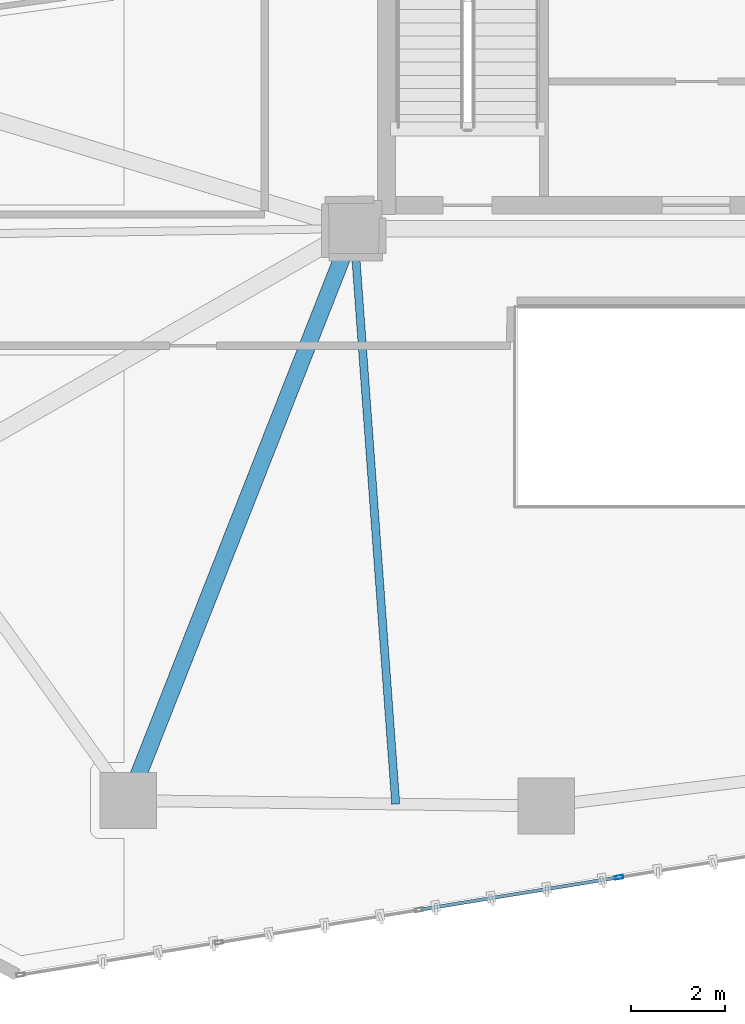
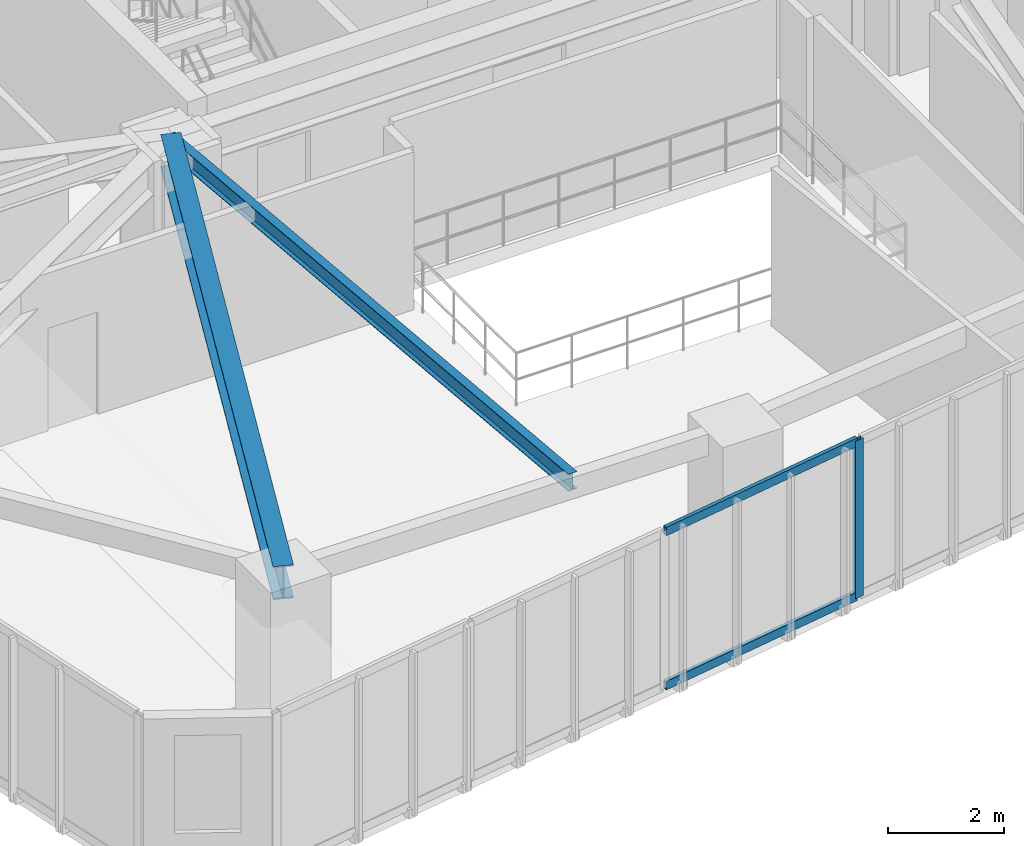
# One storey, part 5 of 23: 3 members, 2 beams, 1 element without a shape of its own.
"""IFC4 building model written with IfcOpenShell, lengths in metres."""

import ifcopenshell
import ifcopenshell.guid

model = None  # the IFC model being written
_history = None  # IfcOwnerHistory: only IFC2X3 demands one
_inside = {}  # id of a spatial element -> (the spatial element, [elements in it])
_under = {}  # id of a project, library or spatial element -> (it, [spatial elements below it])
_declared = {}  # id of a project -> (the project, [libraries it declares])
_typed = {}  # id of a type object -> (the type object, [elements of that type])
_made_of = {}  # id of a material, layer set ... -> (it, [elements and type objects made of it])


def new_model(schema):
    """Start an empty IFC model of exactly this schema.

    Asked for "IFC4X3", IfcOpenShell would pick the latest addendum, in which some entities
    have other attributes; the version numbers below select the first issue.
    IFC2X3 requires an IfcOwnerHistory on every rooted entity: one is made here for all.
    """
    global model, _history
    if schema == "IFC4X3":
        model = ifcopenshell.file(schema_version=(4, 3, 0, 0))
    else:
        model = ifcopenshell.file(schema=schema)
    _inside.clear()
    _under.clear()
    _declared.clear()
    _typed.clear()
    _made_of.clear()
    _history = None
    if model.schema == "IFC2X3":
        org = make("IfcOrganization", Name="unknown")
        user = make(
            "IfcPersonAndOrganization",
            ThePerson=make("IfcPerson", FamilyName="unknown"),
            TheOrganization=org,
        )
        app = make(
            "IfcApplication",
            ApplicationDeveloper=org,
            Version="unknown",
            ApplicationFullName="unknown",
            ApplicationIdentifier="unknown",
        )
        _history = make(
            "IfcOwnerHistory",
            OwningUser=user,
            OwningApplication=app,
            ChangeAction="ADDED",
            CreationDate=0,
        )
    return model


def make(cls, **values):
    """One entity of the class cls with the attributes given. An attribute that is None is left unset."""
    return model.create_entity(
        cls, **{name: value for name, value in values.items() if value is not None}
    )


def rooted(cls, **values):
    """An entity with a GlobalId (a new one), such as an element, a storey or a relation."""
    return make(cls, GlobalId=ifcopenshell.guid.new(), OwnerHistory=_history, **values)


def si_unit(unit_type, name, prefix=None):
    """IfcSIUnit, for example si_unit("LENGTHUNIT", "METRE", prefix="MILLI")."""
    return make("IfcSIUnit", UnitType=unit_type, Prefix=prefix, Name=name)


def assignment(units):
    """IfcUnitAssignment: the units of a project."""
    return None if units is None else make("IfcUnitAssignment", Units=units)


def point(xyz):
    """IfcCartesianPoint."""
    return None if xyz is None else make("IfcCartesianPoint", Coordinates=xyz)


def direction(xyz):
    """IfcDirection."""
    return None if xyz is None else make("IfcDirection", DirectionRatios=xyz)


def frame(location, z_axis=None, x_axis=None):
    """IfcAxis2Placement3D, a coordinate frame: its origin and axes. An axis left out is left unset."""
    return make(
        "IfcAxis2Placement3D",
        Location=point(location),
        Axis=direction(z_axis),
        RefDirection=direction(x_axis),
    )


def frame_2d(location, x_axis=None):
    """IfcAxis2Placement2D, a coordinate frame in the plane: its origin and x axis."""
    return make(
        "IfcAxis2Placement2D", Location=point(location), RefDirection=direction(x_axis)
    )


def origin():
    """The frame at (0, 0, 0) with its axes left unset."""
    return frame((0.0, 0.0, 0.0))


def origin_2d():
    """The frame at (0, 0) in the plane with its x axis left unset."""
    return frame_2d((0.0, 0.0))


def place(relative_to, where):
    """IfcLocalPlacement: puts the frame where relative to a parent placement (None: the world)."""
    return make(
        "IfcLocalPlacement", PlacementRelTo=relative_to, RelativePlacement=where
    )


def context(
    kind, dimensions, precision=None, world=None, true_north=None, identifier=None
):
    """IfcGeometricRepresentationContext, for example the 3D "Model" context."""
    return make(
        "IfcGeometricRepresentationContext",
        ContextIdentifier=identifier,
        ContextType=kind,
        CoordinateSpaceDimension=dimensions,
        Precision=precision,
        WorldCoordinateSystem=world,
        TrueNorth=true_north,
    )


def subcontext(parent, identifier, kind, view, scale=None):
    """IfcGeometricRepresentationSubContext, for example "Body" below "Model"."""
    return make(
        "IfcGeometricRepresentationSubContext",
        ContextIdentifier=identifier,
        ContextType=kind,
        ParentContext=parent,
        TargetScale=scale,
        TargetView=view,
    )


def project(units=None, contexts=None):
    """IfcProject with its units and contexts."""
    return rooted(
        "IfcProject",
        Name="project",
        RepresentationContexts=contexts,
        UnitsInContext=assignment(units),
    )


def spatial(cls, under=None, at=None, **own):
    """A site, building, storey or space (cls), placed at a placement, below another one or the project."""
    s = rooted(cls, ObjectPlacement=at, **own)
    if under is not None:
        _under.setdefault(under.id(), (under, []))[1].append(s)
    return s


def profile(cls, at=None, kind="AREA", **sizes):
    """A parametric profile (cls). Its sizes go by their IFC names, for example OverallWidth=200.0."""
    return make(cls, ProfileType=kind, Position=at, **sizes)


def hollow_rectangle(**sizes):
    """IfcRectangleHollowProfileDef."""
    return profile("IfcRectangleHollowProfileDef", **sizes)


def i_section(**sizes):
    """IfcIShapeProfileDef."""
    return profile("IfcIShapeProfileDef", **sizes)


def extrude(swept, where, along, depth):
    """IfcExtrudedAreaSolid: the profile swept, set in the frame where, extruded along a direction by depth."""
    return make(
        "IfcExtrudedAreaSolid",
        SweptArea=swept,
        Position=where,
        ExtrudedDirection=direction(along),
        Depth=depth,
    )


def shape(context_of_items, identifier, shape_type, items):
    """IfcShapeRepresentation: the items that make up one representation, for example the "Body"."""
    return make(
        "IfcShapeRepresentation",
        ContextOfItems=context_of_items,
        RepresentationIdentifier=identifier,
        RepresentationType=shape_type,
        Items=items,
    )


def source(mapping_origin, context_of_items, identifier, shape_type, items):
    """IfcRepresentationMap: a shape defined once, which mapped items show again and again."""
    return make(
        "IfcRepresentationMap",
        MappingOrigin=mapping_origin,
        MappedRepresentation=shape(context_of_items, identifier, shape_type, items),
    )


def transform(
    local_origin,
    x_axis=None,
    y_axis=None,
    z_axis=None,
    scale=None,
    scale2=None,
    scale3=None,
    uniform=True,
):
    """IfcCartesianTransformationOperator3D, or its non-uniform kind. x_axis, y_axis, z_axis: its Axis1, 2, 3."""
    if uniform:
        return make(
            "IfcCartesianTransformationOperator3D",
            Axis1=direction(x_axis),
            Axis2=direction(y_axis),
            LocalOrigin=point(local_origin),
            Scale=scale,
            Axis3=direction(z_axis),
        )
    return make(
        "IfcCartesianTransformationOperator3DnonUniform",
        Axis1=direction(x_axis),
        Axis2=direction(y_axis),
        LocalOrigin=point(local_origin),
        Scale=scale,
        Axis3=direction(z_axis),
        Scale2=scale2,
        Scale3=scale3,
    )


def mapped(mapping_source, mapping_target):
    """IfcMappedItem: shows the shape of a source again, moved by a transform."""
    return make(
        "IfcMappedItem", MappingSource=mapping_source, MappingTarget=mapping_target
    )


def material(Name=None, Category=None):
    """IfcMaterial."""
    return make("IfcMaterial", Name=Name, Category=Category)


def layer(
    of_material, thickness, ventilated=None, Name=None, Category=None, Priority=None
):
    """IfcMaterialLayer: one layer of a wall or slab, of a material (None: an air gap)."""
    return make(
        "IfcMaterialLayer",
        Material=of_material,
        LayerThickness=thickness,
        IsVentilated=ventilated,
        Name=Name,
        Category=Category,
        Priority=Priority,
    )


def layer_set(layers, Name=None):
    """IfcMaterialLayerSet."""
    return make("IfcMaterialLayerSet", MaterialLayers=layers, LayerSetName=Name)


def material_profile(
    of_material, cross_section, Name=None, Category=None, Priority=None
):
    """IfcMaterialProfile: a cross section and its material."""
    return make(
        "IfcMaterialProfile",
        Name=Name,
        Material=of_material,
        Profile=cross_section,
        Priority=Priority,
        Category=Category,
    )


def profile_set(profiles, Name=None, composite=None):
    """IfcMaterialProfileSet."""
    return make(
        "IfcMaterialProfileSet",
        Name=Name,
        MaterialProfiles=profiles,
        CompositeProfile=composite,
    )


def made_of(thing, what):
    """Note that an element or type object is made of a material, layer set ...; save() writes the relation."""
    if what is not None:
        _made_of.setdefault(what.id(), (what, []))[1].append(thing)
    return thing


def type_object(cls, material=None, **own):
    """A type object (cls), such as IfcWallType, which elements share."""
    return made_of(rooted(cls, **own), material)


def type_shapes(of_type, sources):
    """Give a type object the sources (RepresentationMaps) that its elements show as mapped items."""
    of_type.RepresentationMaps = sources


def element(
    cls,
    number,
    at=None,
    inside=None,
    cuts=None,
    type_object=None,
    material=None,
    context=None,
    identifier="Body",
    shape_type=None,
    held_by="IfcProductDefinitionShape",
    body=None,
    shapes=None,
    **own,
):
    """One element of the class cls, such as IfcWall. Its Tag is "e" and its number.

    at: its placement. inside: the storey or other place that contains it. cuts: it is an
    opening in that element (IfcRelVoidsElement). A single representation is given by context,
    identifier, shape_type and body (its items); several are given by shapes. held_by: the class
    of the entity that holds the representations. save() writes the other relations.
    """
    e = rooted(cls, Tag="e%d" % number, ObjectPlacement=at, **own)
    if body is not None:
        shapes = [shape(context, identifier, shape_type, body)]
    if shapes is not None:
        e.Representation = make(held_by, Representations=shapes)
    if inside is not None:
        _inside.setdefault(inside.id(), (inside, []))[1].append(e)
    if cuts is not None:
        rooted(
            "IfcRelVoidsElement", RelatingBuildingElement=cuts, RelatedOpeningElement=e
        )
    if type_object is not None:
        _typed.setdefault(type_object.id(), (type_object, []))[1].append(e)
    return made_of(e, material)


def aggregate(whole, parts):
    """IfcRelAggregates: a whole, such as a stair, and the parts it consists of."""
    return rooted("IfcRelAggregates", RelatingObject=whole, RelatedObjects=parts)


def save(model, path):
    """Write the relations noted so far, then the file.

    IfcRelAggregates (storeys below a building ...), IfcRelContainedInSpatialStructure (elements
    in a storey), IfcRelDefinesByType, IfcRelAssociatesMaterial and IfcRelDeclares: one each for
    every whole, place, type object, material and project.
    """
    for whole, parts in _under.values():
        aggregate(whole, parts)
    for where, things in _inside.values():
        rooted(
            "IfcRelContainedInSpatialStructure",
            RelatedElements=things,
            RelatingStructure=where,
        )
    for kind, things in _typed.values():
        rooted("IfcRelDefinesByType", RelatedObjects=things, RelatingType=kind)
    for what, things in _made_of.values():
        rooted("IfcRelAssociatesMaterial", RelatedObjects=things, RelatingMaterial=what)
    for by, libraries in _declared.values():
        rooted("IfcRelDeclares", RelatingContext=by, RelatedDefinitions=libraries)
    model.write(path)


model = new_model("IFC4")

# Units and contexts
model_context = context("Model", 3, precision=1e-05, world=origin(), true_north=direction((0.0, 1.0)))
body_context = subcontext(model_context, "Body", "Model", "MODEL_VIEW")
ifc_project = project(units=[si_unit("LENGTHUNIT", "METRE"), si_unit("AREAUNIT", "SQUARE_METRE"), si_unit("VOLUMEUNIT", "CUBIC_METRE"), si_unit("PLANEANGLEUNIT", "RADIAN"), si_unit("MASSUNIT", "GRAM", prefix="KILO")], contexts=[model_context])

# Site, building, storey
site_placement = place(None, origin())
site = spatial("IfcSite", under=ifc_project, at=site_placement, CompositionType="ELEMENT")
building_placement = place(site_placement, origin())
building = spatial("IfcBuilding", under=site, at=building_placement, Name="Talar Marvaseh", CompositionType="ELEMENT")
storey_placement = place(building_placement, frame((0.0, 0.0, 118.199951171875)))
storey = spatial("IfcBuildingStorey", under=building, at=storey_placement, Name="L30", CompositionType="ELEMENT", Elevation=118.199951171875)

# Beams
ifc_material_1 = material(Name="Steel S355", Category="steel")
ifc_material_profile_1 = material_profile(ifc_material_1, i_section(OverallWidth=0.35498046875, OverallDepth=0.695068359375, WebThickness=0.015380859375, FlangeThickness=0.02490234375, at=origin_2d()), Name="W690x217")
ifc_profile_set_1 = profile_set([ifc_material_profile_1], Name="Steel S355")
beam_type_1 = type_object("IfcBeamType", Name="Zone 2 Radial Floor Girder W690x217", PredefinedType="BEAM", material=ifc_profile_set_1)
beam_1_placement = place(storey_placement, frame((13.89111328125, 13.299072265625, 2.962646484375), z_axis=(0.366683712786, 0.930345664136, 0.0), x_axis=(-0.930345664136, 0.366683712786, 0.0)))
element("IfcBeam", 1, at=beam_1_placement, inside=storey, type_object=beam_type_1, Name="L30 Zone 2 Radial Floor Girder W690x217", PredefinedType="BEAM", context=body_context, shape_type="SweptSolid", body=[
    extrude(i_section(OverallWidth=0.35498046875, OverallDepth=0.695068359375, WebThickness=0.015380859375, FlangeThickness=0.02490234375, at=origin_2d()), origin(), (0.0, 0.0, 1.0), 13.114501953125),
])
ifc_material_profile_2 = material_profile(ifc_material_1, i_section(OverallWidth=0.172119140625, OverallDepth=0.35791015625, WebThickness=0.0078125, FlangeThickness=0.01318359375, at=origin_2d()), Name="W360x57")
ifc_profile_set_2 = profile_set([ifc_material_profile_2], Name="Steel S355")
beam_type_2 = type_object("IfcBeamType", Name="Zone 2 Secondary Floor Joist W360x57", PredefinedType="JOIST", material=ifc_profile_set_2)
beam_2_placement = place(storey_placement, frame((19.595947265625, 13.224853515625, 3.131103515625), z_axis=(-0.07279902415, 0.997346630857, 0.0), x_axis=(-0.997346630857, -0.07279902415, 0.0)))
element("IfcBeam", 2, at=beam_2_placement, inside=storey, type_object=beam_type_2, Name="L30 Zone 2 Secondary Floor Joist W360x57", PredefinedType="JOIST", context=body_context, shape_type="SweptSolid", body=[
    extrude(i_section(OverallWidth=0.172119140625, OverallDepth=0.35791015625, WebThickness=0.0078125, FlangeThickness=0.01318359375, at=origin_2d()), origin(), (0.0, 0.0, 1.0), 12.307861328125),
])

# Curtain wall, members
ifc_material_2 = material(Name="Architectural Aluminium", Category="aluminium")
ifc_layer = layer(ifc_material_2, 0.199951171875)
ifc_layer_set = layer_set([ifc_layer], Name="Architectural Aluminium")
curtain_wall_type = type_object("IfcCurtainWallType", Name="Unitised Acoustic Library Curtain Wall Z2", PredefinedType="NOTDEFINED", material=ifc_layer_set)
curtain_wall_placement = place(storey_placement, origin())
curtain_wall = element("IfcCurtainWall", 3, at=curtain_wall_placement, inside=storey, type_object=curtain_wall_type, Name="L30 Unitised Acoustic Library Curtain Wall Z2", PredefinedType="NOTDEFINED")
ifc_material_profile_3 = material_profile(ifc_material_2, hollow_rectangle(XDim=0.074951171875, YDim=0.179931640625, WallThickness=0.0048828125, at=origin_2d()), Name="RHS180x75x5")
ifc_profile_set_3 = profile_set([ifc_material_profile_3], Name="Architectural Aluminium")
member_type_1 = type_object("IfcMemberType", Name="Unitised Curtain Wall Standard Mullion RHS180x75x5", PredefinedType="MULLION", material=ifc_profile_set_3)
shared_shape_1 = source(origin(), body_context, "Body", "SweptSolid", [
    extrude(hollow_rectangle(XDim=0.074951171875, YDim=0.179931640625, WallThickness=0.0048828125, at=origin_2d()), origin(), (0.0, 0.0, 1.0), 3.31005859375),
])
type_shapes(member_type_1, [shared_shape_1])
member_1_placement = place(storey_placement, frame((24.35986328125, 11.6630859375, 0.0), z_axis=(0.0, 0.0, 1.0), x_axis=(0.160891802029, -0.986972050283, 0.0)))
member_1 = element("IfcMember", 4, at=member_1_placement, type_object=member_type_1, Name="CW-Z2 mullion 3", PredefinedType="MULLION", context=body_context, shape_type="MappedRepresentation", body=[
    mapped(shared_shape_1, transform((0.0, 0.0, 0.0), x_axis=(1.0, 0.0, 0.0), y_axis=(0.0, 1.0, 0.0), z_axis=(0.0, 0.0, 1.0), scale=1.0)),
])
ifc_material_profile_4 = material_profile(ifc_material_2, hollow_rectangle(XDim=0.074951171875, YDim=0.179931640625, WallThickness=0.0048828125, at=origin_2d()), Name="RHS180x75x5")
ifc_profile_set_4 = profile_set([ifc_material_profile_4], Name="Architectural Aluminium")
member_type_2 = type_object("IfcMemberType", Name="Unitised Curtain Wall Transom RHS180x75x5", PredefinedType="USERDEFINED", material=ifc_profile_set_4)
shared_shape_2 = source(origin(), body_context, "Body", "SweptSolid", [
    extrude(hollow_rectangle(XDim=0.074951171875, YDim=0.179931640625, WallThickness=0.0048828125, at=origin_2d()), origin(), (0.0, 0.0, 1.0), 4.24853515625),
])
type_shapes(member_type_2, [shared_shape_2])
member_2_placement = place(storey_placement, frame((24.32275390625, 11.6572265625, 0.03759765625), z_axis=(-0.986970154461, -0.160903431295, 0.0), x_axis=(0.160903431295, -0.986970154461, 0.0)))
member_2 = element("IfcMember", 5, at=member_2_placement, type_object=member_type_2, Name="CW-Z2 transom 3.1", ObjectType="TRANSOM", PredefinedType="USERDEFINED", context=body_context, shape_type="MappedRepresentation", body=[
    mapped(shared_shape_2, transform((0.0, 0.0, 0.0), x_axis=(1.0, 0.0, 0.0), y_axis=(0.0, 1.0, 0.0), z_axis=(0.0, 0.0, 1.0), scale=1.0)),
])
member_3_placement = place(storey_placement, frame((24.32275390625, 11.6572265625, 3.2724609375), z_axis=(-0.986970154461, -0.160903431295, 0.0), x_axis=(0.160903431295, -0.986970154461, 0.0)))
member_3 = element("IfcMember", 6, at=member_3_placement, type_object=member_type_2, Name="CW-Z2 transom 3.2", ObjectType="TRANSOM", PredefinedType="USERDEFINED", context=body_context, shape_type="MappedRepresentation", body=[
    mapped(shared_shape_2, transform((0.0, 0.0, 0.0), x_axis=(1.0, 0.0, 0.0), y_axis=(0.0, 1.0, 0.0), z_axis=(0.0, 0.0, 1.0), scale=1.0)),
])
aggregate(curtain_wall, [member_1, member_2, member_3])

save(model, "model.ifc")
